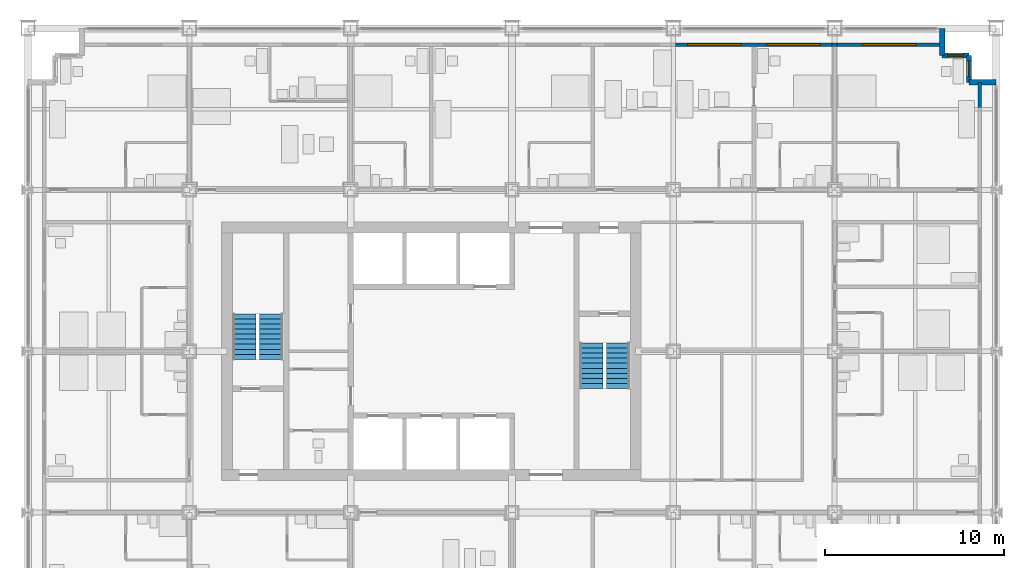
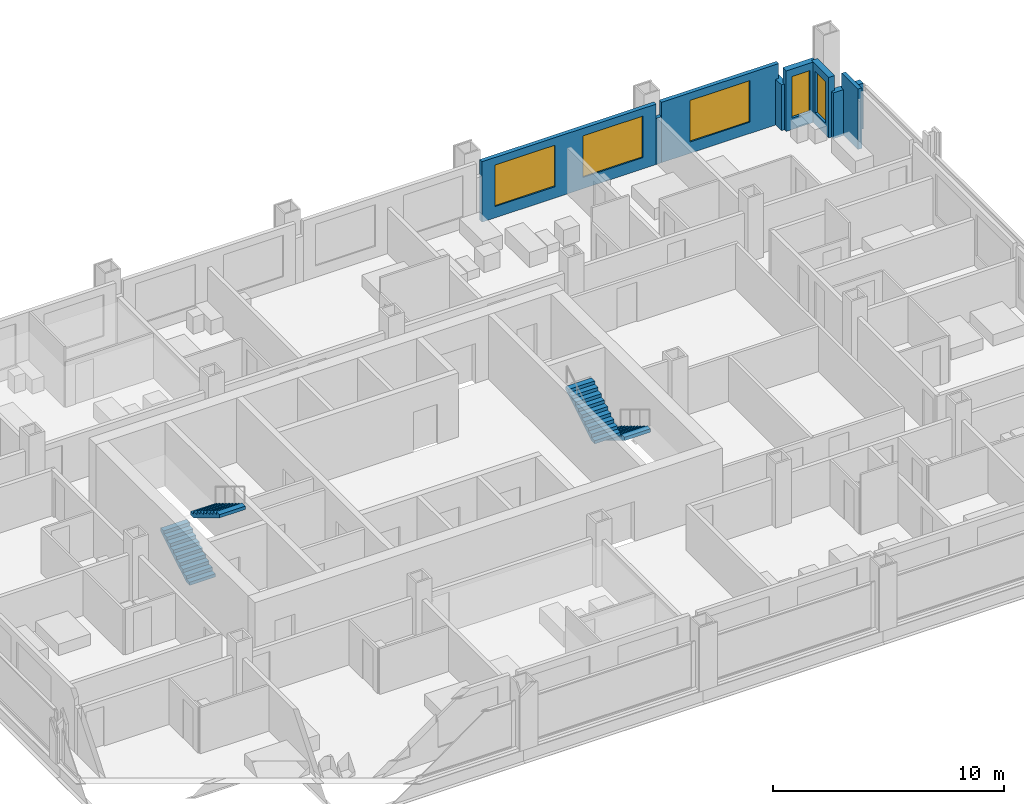
# One storey, part 15 of 18: 8 walls, 5 windows, 4 stair flights, 5 openings, 2 elements without a shape of their own.
"""IFC4 building model written with IfcOpenShell, lengths in metres."""

from ifc_helpers import new_model, si_unit, direction, frame, frame_2d, origin, place, context, subcontext, project, spatial, polyline, rectangle, outline, extrude, material, layer, layer_set, type_object, element, fill, aggregate, save


model = new_model("IFC4")

# Units and contexts
model_context = context("Model", 3, precision=1e-05, world=origin(), true_north=direction((0.0, 1.0)))
body_context = subcontext(model_context, "Body", "Model", "MODEL_VIEW")
ifc_project = project(units=[si_unit("LENGTHUNIT", "METRE"), si_unit("AREAUNIT", "SQUARE_METRE"), si_unit("VOLUMEUNIT", "CUBIC_METRE"), si_unit("PLANEANGLEUNIT", "RADIAN"), si_unit("MASSUNIT", "GRAM", prefix="KILO")], contexts=[model_context])

# Site, building, storey
site_placement = place(None, origin())
site = spatial("IfcSite", under=ifc_project, at=site_placement, CompositionType="ELEMENT")
building_placement = place(site_placement, origin())
building = spatial("IfcBuilding", under=site, at=building_placement, Name="Loomwork Tower", CompositionType="ELEMENT")
storey_placement = place(building_placement, frame((0.0, 0.0, 72.199951171875)))
storey = spatial("IfcBuildingStorey", under=building, at=storey_placement, Name="L18", CompositionType="ELEMENT", Elevation=72.199951171875)

# Wall, openings, windows
ifc_material_1 = material(Name="Insulated steel stud wall with gypsum lining", Category="steel")
ifc_layer_1 = layer(ifc_material_1, 0.199951171875)
ifc_layer_set_1 = layer_set([ifc_layer_1], Name="Inner skin wall 200")
wall_type_1 = type_object("IfcWallType", Name="Inner skin wall 200", PredefinedType="SOLIDWALL", material=ifc_layer_set_1)
wall_1_placement = place(storey_placement, frame((36.135498046875, 35.10009765625, 0.0), z_axis=(0.0, 0.0, 1.0), x_axis=(1.0, 0.0, 0.0)))
wall_1 = element("IfcWall", 1, at=wall_1_placement, inside=storey, type_object=wall_type_1, Name="Inner skin wall N bay 9", PredefinedType="SOLIDWALL", context=body_context, shape_type="SweptSolid", body=[
    extrude(rectangle(XDim=8.72900390625, YDim=0.199951171875, at=frame_2d((4.364501953125, 0.0))), origin(), (0.0, 0.0, 1.0), 3.199951171875),
])
opening_1_placement = place(wall_1_placement, frame((0.66455078125, 0.0, 0.60009765625)))
opening_1 = element("IfcOpeningElement", 2, at=opening_1_placement, cuts=wall_1, Name="Opening CH1", PredefinedType="OPENING", context=body_context, shape_type="SweptSolid", body=[
    extrude(rectangle(XDim=3.0, YDim=2.199951171875, at=frame_2d((1.5, 1.10009765625))), frame((0.0, 0.10986328125, 0.0), z_axis=(0.0, -1.0, 0.0), x_axis=(1.0, 0.0, 0.0)), (0.0, 0.0, 1.0), 0.219970703125),
])
opening_2_placement = place(wall_1_placement, frame((5.064697265625, 0.0, 0.60009765625)))
opening_2 = element("IfcOpeningElement", 3, at=opening_2_placement, cuts=wall_1, Name="Opening CH1", PredefinedType="OPENING", context=body_context, shape_type="SweptSolid", body=[
    extrude(rectangle(XDim=3.0, YDim=2.199951171875, at=frame_2d((1.5, 1.10009765625))), frame((0.0, 0.10986328125, 0.0), z_axis=(0.0, -1.0, 0.0), x_axis=(1.0, 0.0, 0.0)), (0.0, 0.0, 1.0), 0.219970703125),
])
ifc_material_2 = material(Name="Aluminium frame with clear insulated glass", Category="aluminium")
window_type_1 = type_object("IfcWindowType", Name="Chicago window 3000", PartitioningType="TRIPLE_PANEL_VERTICAL", PredefinedType="WINDOW", material=ifc_material_2)
window_1_placement = place(opening_1_placement, origin())
window_1 = element("IfcWindow", 4, at=window_1_placement, inside=storey, type_object=window_type_1, Name="Chicago window L18 bay 11", OverallHeight=2.199951171875, OverallWidth=3.0, PartitioningType="TRIPLE_PANEL_VERTICAL", PredefinedType="WINDOW", context=body_context, shape_type="SweptSolid", body=[
    extrude(rectangle(XDim=3.0, YDim=2.199951171875, at=frame_2d((1.5, 1.10009765625))), frame((0.0, 0.030029296875, 0.0), z_axis=(0.0, -1.0, 0.0), x_axis=(1.0, 0.0, 0.0)), (0.0, 0.0, 1.0), 0.06005859375),
])
fill(opening_1, window_1)
window_2_placement = place(opening_2_placement, origin())
window_2 = element("IfcWindow", 5, at=window_2_placement, inside=storey, type_object=window_type_1, Name="Chicago window L18 bay 11", OverallHeight=2.199951171875, OverallWidth=3.0, PartitioningType="TRIPLE_PANEL_VERTICAL", PredefinedType="WINDOW", context=body_context, shape_type="SweptSolid", body=[
    extrude(rectangle(XDim=3.0, YDim=2.199951171875, at=frame_2d((1.5, 1.10009765625))), frame((0.0, 0.030029296875, 0.0), z_axis=(0.0, -1.0, 0.0), x_axis=(1.0, 0.0, 0.0)), (0.0, 0.0, 1.0), 0.06005859375),
])
fill(opening_2, window_2)

# Wall
wall_2_placement = place(storey_placement, frame((44.864501953125, 35.10009765625, 0.0), z_axis=(0.0, 0.0, 1.0), x_axis=(1.0, 0.0, 0.0)))
element("IfcWall", 6, at=wall_2_placement, inside=storey, type_object=wall_type_1, Name="Inner skin wall N bay 10", PredefinedType="SOLIDWALL", context=body_context, shape_type="SweptSolid", body=[
    extrude(rectangle(XDim=0.27099609375, YDim=0.199951171875, at=frame_2d((0.135498046875, 0.0))), origin(), (0.0, 0.0, 1.0), 2.43798828125),
])

# Wall, opening, window
wall_3_placement = place(storey_placement, frame((45.135498046875, 35.10009765625, 0.0), z_axis=(0.0, 0.0, 1.0), x_axis=(1.0, 0.0, 0.0)))
wall_3 = element("IfcWall", 7, at=wall_3_placement, inside=storey, type_object=wall_type_1, Name="Inner skin wall N bay 11", PredefinedType="SOLIDWALL", context=body_context, shape_type="SweptSolid", body=[
    extrude(rectangle(XDim=5.864501953125, YDim=0.199951171875, at=frame_2d((2.93212890625, 0.0))), origin(), (0.0, 0.0, 1.0), 3.199951171875),
])
opening_3_placement = place(wall_3_placement, frame((1.41455078125, 0.0, 0.60009765625)))
opening_3 = element("IfcOpeningElement", 8, at=opening_3_placement, cuts=wall_3, Name="Opening CH1", PredefinedType="OPENING", context=body_context, shape_type="SweptSolid", body=[
    extrude(rectangle(XDim=3.0, YDim=2.199951171875, at=frame_2d((1.5, 1.10009765625))), frame((0.0, 0.10986328125, 0.0), z_axis=(0.0, -1.0, 0.0), x_axis=(1.0, 0.0, 0.0)), (0.0, 0.0, 1.0), 0.219970703125),
])
window_3_placement = place(opening_3_placement, origin())
window_3 = element("IfcWindow", 9, at=window_3_placement, inside=storey, type_object=window_type_1, Name="Chicago window L18 bay 12", OverallHeight=2.199951171875, OverallWidth=3.0, PartitioningType="TRIPLE_PANEL_VERTICAL", PredefinedType="WINDOW", context=body_context, shape_type="SweptSolid", body=[
    extrude(rectangle(XDim=3.0, YDim=2.199951171875, at=frame_2d((1.5, 1.10009765625))), frame((0.0, 0.030029296875, 0.0), z_axis=(0.0, -1.0, 0.0), x_axis=(1.0, 0.0, 0.0)), (0.0, 0.0, 1.0), 0.06005859375),
])
fill(opening_3, window_3)

# Walls
wall_4_placement = place(storey_placement, frame((53.10009765625, 31.607421875, 0.0), z_axis=(0.0, 0.0, 1.0), x_axis=(0.0, 1.0, 0.0)))
element("IfcWall", 10, at=wall_4_placement, inside=storey, type_object=wall_type_1, Name="Inner skin wall E bay 11", PredefinedType="SOLIDWALL", context=body_context, shape_type="SweptSolid", body=[
    extrude(rectangle(XDim=1.392578125, YDim=0.199951171875, at=frame_2d((0.6962890625, 0.0))), origin(), (0.0, 0.0, 1.0), 3.199951171875),
])
ifc_material_3 = material(Name="Limestone on concrete masonry", Category="masonry")
ifc_layer_2 = layer(ifc_material_3, 0.300048828125)
ifc_layer_set_2 = layer_set([ifc_layer_2], Name="Limestone corner wall 300")
wall_type_2 = type_object("IfcWallType", Name="Limestone corner wall 300", PredefinedType="SOLIDWALL", material=ifc_layer_set_2)
wall_5_placement = place(storey_placement, frame((54.0, 33.0, 0.0), z_axis=(0.0, 0.0, 1.0), x_axis=(-1.0, 0.0, 0.0)))
element("IfcWall", 11, at=wall_5_placement, inside=storey, type_object=wall_type_2, Name="Stone corner wall NE 1", PredefinedType="SOLIDWALL", context=body_context, shape_type="SweptSolid", body=[
    extrude(rectangle(XDim=1.5, YDim=0.300048828125, at=frame_2d((0.75, 0.0))), origin(), (0.0, 0.0, 1.0), 2.420166015625),
])

# Wall, opening, window
wall_6_placement = place(storey_placement, frame((52.5, 33.0, 0.0), z_axis=(0.0, 0.0, 1.0), x_axis=(0.0, 1.0, 0.0)))
wall_6 = element("IfcWall", 12, at=wall_6_placement, inside=storey, type_object=wall_type_2, Name="Stone corner wall NE 2", PredefinedType="SOLIDWALL", context=body_context, shape_type="SweptSolid", body=[
    extrude(rectangle(XDim=1.5, YDim=0.300048828125, at=frame_2d((0.75, 0.0))), origin(), (0.0, 0.0, 1.0), 3.199951171875),
])
opening_4_placement = place(wall_6_placement, frame((0.300048828125, 0.0, 0.60009765625)))
opening_4 = element("IfcOpeningElement", 13, at=opening_4_placement, cuts=wall_6, Name="Opening CH2", PredefinedType="OPENING", context=body_context, shape_type="SweptSolid", body=[
    extrude(rectangle(XDim=0.89990234375, YDim=2.199951171875, at=frame_2d((0.449951171875, 1.10009765625))), frame((0.0, 0.159912109375, 0.0), z_axis=(0.0, -1.0, 0.0), x_axis=(1.0, 0.0, 0.0)), (0.0, 0.0, 1.0), 0.320068359375),
])
ifc_material_4 = material(Name="Aluminium frame with clear insulated glass", Category="aluminium")
window_type_2 = type_object("IfcWindowType", Name="Corner window 900", PartitioningType="SINGLE_PANEL", PredefinedType="WINDOW", material=ifc_material_4)
window_4_placement = place(opening_4_placement, origin())
window_4 = element("IfcWindow", 14, at=window_4_placement, inside=storey, type_object=window_type_2, Name="Corner window NE", OverallHeight=2.199951171875, OverallWidth=0.89990234375, PartitioningType="SINGLE_PANEL", PredefinedType="WINDOW", context=body_context, shape_type="SweptSolid", body=[
    extrude(rectangle(XDim=0.89990234375, YDim=2.199951171875, at=frame_2d((0.449951171875, 1.10009765625))), frame((0.0, 0.030029296875, 0.0), z_axis=(0.0, -1.0, 0.0), x_axis=(1.0, 0.0, 0.0)), (0.0, 0.0, 1.0), 0.06005859375),
])
fill(opening_4, window_4)

wall_7_placement = place(storey_placement, frame((52.5, 34.5, 0.0), z_axis=(0.0, 0.0, 1.0), x_axis=(-1.0, 0.0, 0.0)))
wall_7 = element("IfcWall", 15, at=wall_7_placement, inside=storey, type_object=wall_type_2, Name="Stone corner wall NE 3", PredefinedType="SOLIDWALL", context=body_context, shape_type="SweptSolid", body=[
    extrude(rectangle(XDim=1.5, YDim=0.300048828125, at=frame_2d((0.75, 0.0))), origin(), (0.0, 0.0, 1.0), 3.199951171875),
])
opening_5_placement = place(wall_7_placement, frame((0.300048828125, 0.0, 0.60009765625)))
opening_5 = element("IfcOpeningElement", 16, at=opening_5_placement, cuts=wall_7, Name="Opening CH2", PredefinedType="OPENING", context=body_context, shape_type="SweptSolid", body=[
    extrude(rectangle(XDim=0.89990234375, YDim=2.199951171875, at=frame_2d((0.449951171875, 1.10009765625))), frame((0.0, 0.159912109375, 0.0), z_axis=(0.0, -1.0, 0.0), x_axis=(1.0, 0.0, 0.0)), (0.0, 0.0, 1.0), 0.320068359375),
])
window_5_placement = place(opening_5_placement, origin())
window_5 = element("IfcWindow", 17, at=window_5_placement, inside=storey, type_object=window_type_2, Name="Corner window NE", OverallHeight=2.199951171875, OverallWidth=0.89990234375, PartitioningType="SINGLE_PANEL", PredefinedType="WINDOW", context=body_context, shape_type="SweptSolid", body=[
    extrude(rectangle(XDim=0.89990234375, YDim=2.199951171875, at=frame_2d((0.449951171875, 1.10009765625))), frame((0.0, 0.030029296875, 0.0), z_axis=(0.0, -1.0, 0.0), x_axis=(1.0, 0.0, 0.0)), (0.0, 0.0, 1.0), 0.06005859375),
])
fill(opening_5, window_5)

# Wall
wall_8_placement = place(storey_placement, frame((51.0, 34.5, 0.0), z_axis=(0.0, 0.0, 1.0), x_axis=(0.0, 1.0, 0.0)))
element("IfcWall", 18, at=wall_8_placement, inside=storey, type_object=wall_type_2, Name="Stone corner wall NE 4", PredefinedType="SOLIDWALL", context=body_context, shape_type="SweptSolid", body=[
    extrude(rectangle(XDim=1.5, YDim=0.300048828125, at=frame_2d((0.75, 0.0))), origin(), (0.0, 0.0, 1.0), 2.420166015625),
])

# Stair, stair flights
ifc_material_5 = material(Name="Concrete 5000 psi (34 MPa) precast stair", Category="concrete")
stair_type_1 = type_object("IfcStairType", Name="Stair ST-A 20 risers 2850 wide", PredefinedType="HALF_TURN_STAIR", material=ifc_material_5)
stair_1_placement = place(storey_placement, origin())
stair_1 = element("IfcStair", 19, at=stair_1_placement, inside=storey, type_object=stair_type_1, Name="Stair A L18", PredefinedType="HALF_TURN_STAIR")
ifc_material_6 = material(Name="Concrete 5000 psi (34 MPa) precast stair", Category="concrete")
stair_flight_type_1 = type_object("IfcStairFlightType", Name="Stair flight ST-A 10 risers 1300 wide", PredefinedType="STRAIGHT", material=ifc_material_6)
stair_flight_1_placement = place(storey_placement, frame((12.074951171875, 17.550048828125, 0.0), z_axis=(0.0, 0.0, 1.0), x_axis=(0.0, 1.0, 0.0)))
stair_flight_1 = element("IfcStairFlight", 20, at=stair_flight_1_placement, type_object=stair_flight_type_1, Name="ST-A flight 1", NumberOfRisers=10, NumberOfTreads=9, PredefinedType="STRAIGHT", RiserHeight=0.17, TreadLength=0.28, context=body_context, shape_type="SweptSolid", body=[
    extrude(outline(polyline([(0.0, 0.0), (0.0, 0.169921875), (0.280029296875, 0.169921875), (0.280029296875, 0.340087890625), (0.56005859375, 0.340087890625), (0.56005859375, 0.510009765625), (0.840087890625, 0.510009765625), (0.840087890625, 0.679931640625), (1.1201171875, 0.679931640625), (1.1201171875, 0.85009765625), (1.39990234375, 0.85009765625), (1.39990234375, 1.02001953125), (1.679931640625, 1.02001953125), (1.679931640625, 1.18994140625), (1.9599609375, 1.18994140625), (1.9599609375, 1.360107421875), (2.239990234375, 1.360107421875), (2.239990234375, 1.530029296875), (2.52001953125, 1.530029296875), (2.52001953125, 1.699951171875), (2.52001953125, 1.354736328125), (0.288818359375, 0.0), (0.0, 0.0)])), frame((0.0, 0.64990234375, 0.0), z_axis=(0.0, -1.0, 0.0), x_axis=(1.0, 0.0, 0.0)), (0.0, 0.0, 1.0), 1.300048828125),
])
stair_flight_2_placement = place(storey_placement, frame((13.574951171875, 20.070068359375, 1.699951171875), z_axis=(0.0, 0.0, 1.0), x_axis=(0.0, -1.0, 0.0)))
stair_flight_2 = element("IfcStairFlight", 21, at=stair_flight_2_placement, type_object=stair_flight_type_1, Name="ST-A flight 2", NumberOfRisers=10, NumberOfTreads=9, PredefinedType="STRAIGHT", RiserHeight=0.17, TreadLength=0.28, context=body_context, shape_type="SweptSolid", body=[
    extrude(outline(polyline([(0.0, 0.0), (0.0, 0.169921875), (0.280029296875, 0.169921875), (0.280029296875, 0.340087890625), (0.56005859375, 0.340087890625), (0.56005859375, 0.510009765625), (0.840087890625, 0.510009765625), (0.840087890625, 0.679931640625), (1.1201171875, 0.679931640625), (1.1201171875, 0.85009765625), (1.39990234375, 0.85009765625), (1.39990234375, 1.02001953125), (1.679931640625, 1.02001953125), (1.679931640625, 1.18994140625), (1.9599609375, 1.18994140625), (1.9599609375, 1.360107421875), (2.239990234375, 1.360107421875), (2.239990234375, 1.530029296875), (2.52001953125, 1.530029296875), (2.52001953125, 1.699951171875), (2.52001953125, 1.354736328125), (0.288818359375, 0.0), (0.0, 0.0)])), frame((0.0, 0.64990234375, 0.0), z_axis=(0.0, -1.0, 0.0), x_axis=(1.0, 0.0, 0.0)), (0.0, 0.0, 1.0), 1.300048828125),
])
aggregate(stair_1, [stair_flight_1, stair_flight_2])

ifc_material_7 = material(Name="Concrete 5000 psi (34 MPa) precast stair", Category="concrete")
stair_type_2 = type_object("IfcStairType", Name="Stair ST-B 20 risers 2850 wide", PredefinedType="HALF_TURN_STAIR", material=ifc_material_7)
stair_2_placement = place(storey_placement, origin())
stair_2 = element("IfcStair", 22, at=stair_2_placement, inside=storey, type_object=stair_type_2, Name="Stair B L18", PredefinedType="HALF_TURN_STAIR")
ifc_material_8 = material(Name="Concrete 5000 psi (34 MPa) precast stair", Category="concrete")
stair_flight_type_2 = type_object("IfcStairFlightType", Name="Stair flight ST-B 10 risers 1300 wide", PredefinedType="STRAIGHT", material=ifc_material_8)
stair_flight_3_placement = place(storey_placement, frame((32.925048828125, 18.449951171875, 0.0), z_axis=(0.0, 0.0, 1.0), x_axis=(0.0, -1.0, 0.0)))
stair_flight_3 = element("IfcStairFlight", 23, at=stair_flight_3_placement, type_object=stair_flight_type_2, Name="ST-B flight 1", NumberOfRisers=10, NumberOfTreads=9, PredefinedType="STRAIGHT", RiserHeight=0.17, TreadLength=0.28, context=body_context, shape_type="SweptSolid", body=[
    extrude(outline(polyline([(0.0, 0.0), (0.0, 0.169921875), (0.280029296875, 0.169921875), (0.280029296875, 0.340087890625), (0.56005859375, 0.340087890625), (0.56005859375, 0.510009765625), (0.840087890625, 0.510009765625), (0.840087890625, 0.679931640625), (1.1201171875, 0.679931640625), (1.1201171875, 0.85009765625), (1.39990234375, 0.85009765625), (1.39990234375, 1.02001953125), (1.679931640625, 1.02001953125), (1.679931640625, 1.18994140625), (1.9599609375, 1.18994140625), (1.9599609375, 1.360107421875), (2.239990234375, 1.360107421875), (2.239990234375, 1.530029296875), (2.52001953125, 1.530029296875), (2.52001953125, 1.699951171875), (2.52001953125, 1.354736328125), (0.288818359375, 0.0), (0.0, 0.0)])), frame((0.0, 0.64990234375, 0.0), z_axis=(0.0, -1.0, 0.0), x_axis=(1.0, 0.0, 0.0)), (0.0, 0.0, 1.0), 1.300048828125),
])
stair_flight_4_placement = place(storey_placement, frame((31.425048828125, 15.929931640625, 1.699951171875), z_axis=(0.0, 0.0, 1.0), x_axis=(0.0, 1.0, 0.0)))
stair_flight_4 = element("IfcStairFlight", 24, at=stair_flight_4_placement, type_object=stair_flight_type_2, Name="ST-B flight 2", NumberOfRisers=10, NumberOfTreads=9, PredefinedType="STRAIGHT", RiserHeight=0.17, TreadLength=0.28, context=body_context, shape_type="SweptSolid", body=[
    extrude(outline(polyline([(0.0, 0.0), (0.0, 0.169921875), (0.280029296875, 0.169921875), (0.280029296875, 0.340087890625), (0.56005859375, 0.340087890625), (0.56005859375, 0.510009765625), (0.840087890625, 0.510009765625), (0.840087890625, 0.679931640625), (1.1201171875, 0.679931640625), (1.1201171875, 0.85009765625), (1.39990234375, 0.85009765625), (1.39990234375, 1.02001953125), (1.679931640625, 1.02001953125), (1.679931640625, 1.18994140625), (1.9599609375, 1.18994140625), (1.9599609375, 1.360107421875), (2.239990234375, 1.360107421875), (2.239990234375, 1.530029296875), (2.52001953125, 1.530029296875), (2.52001953125, 1.699951171875), (2.52001953125, 1.354736328125), (0.288818359375, 0.0), (0.0, 0.0)])), frame((0.0, 0.64990234375, 0.0), z_axis=(0.0, -1.0, 0.0), x_axis=(1.0, 0.0, 0.0)), (0.0, 0.0, 1.0), 1.300048828125),
])
aggregate(stair_2, [stair_flight_3, stair_flight_4])

save(model, "model.ifc")
